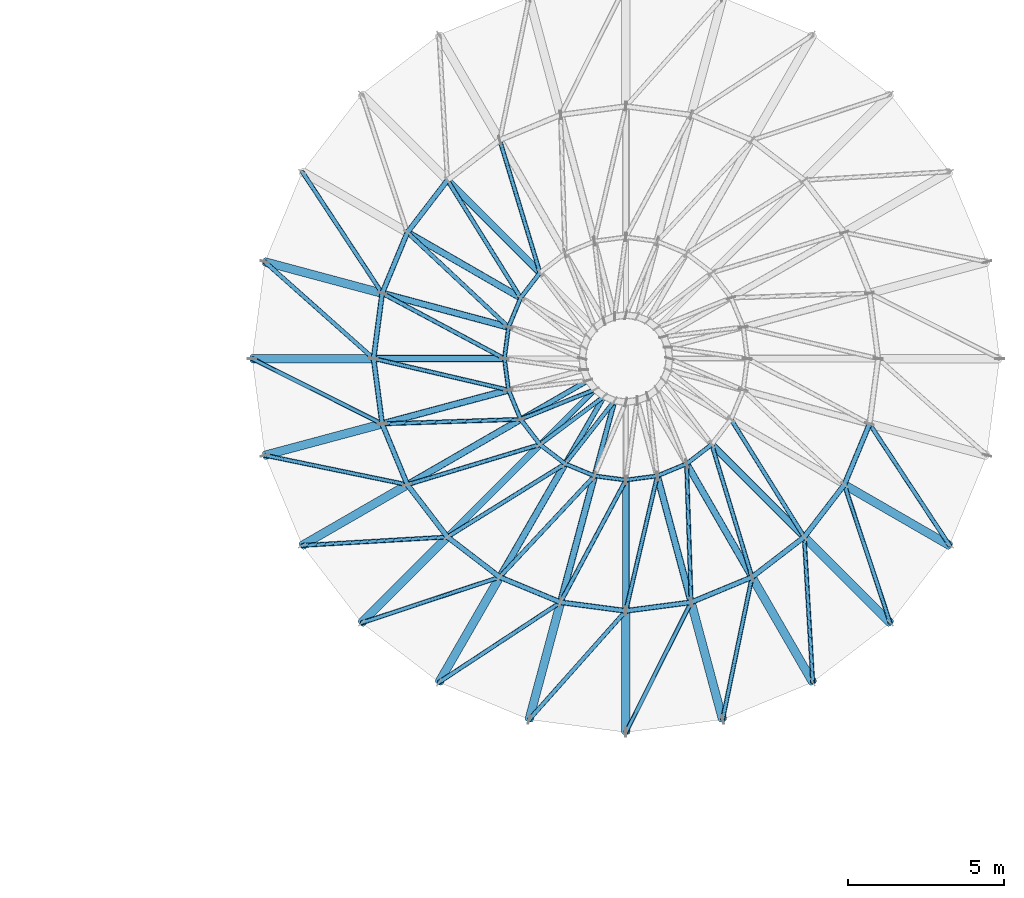
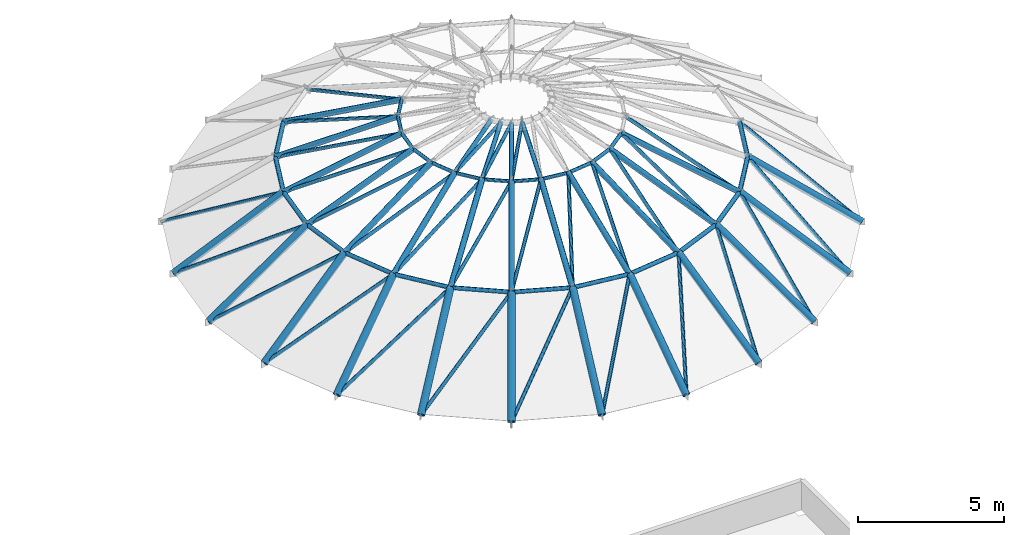
# One storey, part 15 of 32: 56 members, 29 beams.
"""IFC4 building model written with IfcOpenShell, lengths in metres."""

from ifc_helpers import new_model, si_unit, direction, frame, origin, origin_2d, place, context, subcontext, project, spatial, hollow_circle, extrude, material, material_profile, profile_set, type_object, element, save


model = new_model("IFC4")

# Units and contexts
model_context = context("Model", 3, precision=1e-05, world=origin(), true_north=direction((0.0, 1.0)))
body_context = subcontext(model_context, "Body", "Model", "MODEL_VIEW")
ifc_project = project(units=[si_unit("LENGTHUNIT", "METRE"), si_unit("AREAUNIT", "SQUARE_METRE"), si_unit("VOLUMEUNIT", "CUBIC_METRE"), si_unit("PLANEANGLEUNIT", "RADIAN"), si_unit("MASSUNIT", "GRAM", prefix="KILO")], contexts=[model_context])

# Site, building, storey
site_placement = place(None, origin())
site = spatial("IfcSite", under=ifc_project, at=site_placement, CompositionType="ELEMENT")
building_placement = place(site_placement, origin())
building = spatial("IfcBuilding", under=site, at=building_placement, Name="Kandorven Conservatory and Botanical Research Centre", CompositionType="ELEMENT")
storey_placement = place(building_placement, frame((0.0, 0.0, 17.10009765625)))
storey = spatial("IfcBuildingStorey", under=building, at=storey_placement, Name="L04", CompositionType="ELEMENT", Elevation=17.10009765625)

# Beams
ifc_material_1 = material(Name="Steel S355 (IS 2062 E350)", Category="steel")
ifc_material_profile_1 = material_profile(ifc_material_1, hollow_circle(Radius=0.136474609375, WallThickness=0.013916015625, at=origin_2d()))
ifc_profile_set_1 = profile_set([ifc_material_profile_1], Name="Steel S355 (IS 2062 E350)")
beam_type_1 = type_object("IfcBeamType", Name="Beam_DR-03", PredefinedType="BEAM", material=ifc_profile_set_1)
for number, where, z_axis, x_axis, name in (
    (1, (76.0087890625, 50.90576171875, 0.599853515625), (0.794183866007, -0.212777453148, 0.569207995733), (0.258792408894, 0.965932963046, 0.0), "Conservatory Dome Rib DR-03 T3-R12"),
    (2, (75.60009765625, 47.800048828125, 0.599853515625), (0.8221903387, 0.0, 0.569212655295), (0.0, 1.0, 0.0), "Conservatory Dome Rib DR-03 T3-R13"),
    (3, (76.0087890625, 44.694091796875, 0.599853515625), (0.79417516745, 0.212826592184, 0.569201761298), (-0.258850815837, 0.965917312786, 0.0), "Conservatory Dome Rib DR-03 T3-R14"),
    (4, (77.207763671875, 41.800048828125, 0.599853515625), (0.712040516377, 0.411093509058, 0.569210356413), (-0.499997012787, 0.866027128446, 0.0), "Conservatory Dome Rib DR-03 T3-R15"),
    (5, (79.11474609375, 39.314697265625, 0.599853515625), (0.581353568201, 0.581405038194, 0.56920664991), (-0.707138080869, 0.707075480118, 0.0), "Conservatory Dome Rib DR-03 T3-R16"),
    (6, (81.60009765625, 37.40771484375, 0.599853515625), (0.411093509058, 0.712040516377, 0.569210356413), (-0.866027128446, 0.499997012787, 0.0), "Conservatory Dome Rib DR-03 T3-R17"),
    (7, (84.494140625, 36.208984375, 0.599853515625), (0.212826592184, 0.79417516745, 0.569201761298), (-0.965917312786, 0.258850815837, 0.0), "Conservatory Dome Rib DR-03 T3-R18"),
    (8, (87.60009765625, 35.800048828125, 0.599853515625), (0.0, 0.8221903387, 0.569212655295), (-1.0, 0.0, 0.0), "Conservatory Dome Rib DR-03 T3-R19"),
    (9, (90.705810546875, 36.208984375, 0.599853515625), (-0.212826592184, 0.79417516745, 0.569201761298), (-0.965917312786, -0.258850815837, 0.0), "Conservatory Dome Rib DR-03 T3-R20"),
    (10, (93.60009765625, 37.40771484375, 0.599853515625), (-0.411136279652, 0.712025449763, 0.569198312052), (-0.866000020948, -0.500043961785, 0.0), "Conservatory Dome Rib DR-03 T3-R21"),
    (11, (96.085205078125, 39.314697265625, 0.599853515625), (-0.581353568201, 0.581405038194, 0.56920664991), (-0.707138080869, -0.707075480118, 0.0), "Conservatory Dome Rib DR-03 T3-R22"),
    (12, (97.9921875, 41.800048828125, 0.599853515625), (-0.712040516377, 0.411093509058, 0.569210356413), (-0.499997012787, -0.866027128446, 0.0), "Conservatory Dome Rib DR-03 T3-R23"),
):
    element("IfcBeam", number, at=place(storey_placement, frame(where, z_axis=z_axis, x_axis=x_axis)), inside=storey, type_object=beam_type_1, Name=name, PredefinedType="BEAM", context=body_context, shape_type="SweptSolid", body=[
        extrude(hollow_circle(Radius=0.136474609375, WallThickness=0.013916015625, at=origin_2d()), origin(), (0.0, 0.0, 1.0), 4.743408203125),
    ])
ifc_material_2 = material(Name="Steel S355 (IS 2062 E350)", Category="steel")
ifc_material_profile_2 = material_profile(ifc_material_2, hollow_circle(Radius=0.109619140625, WallThickness=0.011962890625, at=origin_2d()))
ifc_profile_set_2 = profile_set([ifc_material_profile_2], Name="Steel S355 (IS 2062 E350)")
beam_type_2 = type_object("IfcBeamType", Name="Beam_DR-04", PredefinedType="BEAM", material=ifc_profile_set_2)
beam_1_placement = place(storey_placement, frame((81.872314453125, 53.527587890625, 3.2998046875), z_axis=(0.655443574187, -0.655443574187, 0.375216526974), x_axis=(0.707106781187, 0.707106781187, 0.0)))
element("IfcBeam", 13, at=beam_1_placement, inside=storey, type_object=beam_type_2, Name="Conservatory Dome Rib DR-04 T4-R10", PredefinedType="BEAM", context=body_context, shape_type="SweptSolid", body=[
    extrude(hollow_circle(Radius=0.109619140625, WallThickness=0.011962890625, at=origin_2d()), origin(), (0.0, 0.0, 1.0), 4.53125),
])
beam_2_placement = place(storey_placement, frame((80.585205078125, 51.85009765625, 3.2998046875), z_axis=(0.802730664096, -0.463491017086, 0.375232671819), x_axis=(0.500027713859, 0.866009402589, 0.0)))
element("IfcBeam", 14, at=beam_2_placement, inside=storey, type_object=beam_type_2, Name="Conservatory Dome Rib DR-04 T4-R11", PredefinedType="BEAM", context=body_context, shape_type="SweptSolid", body=[
    extrude(hollow_circle(Radius=0.109619140625, WallThickness=0.011962890625, at=origin_2d()), origin(), (0.0, 0.0, 1.0), 4.531005859375),
])
beam_3_placement = place(storey_placement, frame((79.77587890625, 49.896484375, 3.2998046875), z_axis=(0.895352306107, -0.239920797876, 0.375209619673), x_axis=(0.258830993363, 0.965922624683, 0.0)))
element("IfcBeam", 15, at=beam_3_placement, inside=storey, type_object=beam_type_2, Name="Conservatory Dome Rib DR-04 T4-R12", PredefinedType="BEAM", context=body_context, shape_type="SweptSolid", body=[
    extrude(hollow_circle(Radius=0.109619140625, WallThickness=0.011962890625, at=origin_2d()), origin(), (0.0, 0.0, 1.0), 4.53125),
])
beam_4_placement = place(storey_placement, frame((79.5, 47.800048828125, 3.2998046875), z_axis=(0.926930303941, 0.0, 0.375233542792), x_axis=(0.0, 1.0, 0.0)))
element("IfcBeam", 16, at=beam_4_placement, inside=storey, type_object=beam_type_2, Name="Conservatory Dome Rib DR-04 T4-R13", PredefinedType="BEAM", context=body_context, shape_type="SweptSolid", body=[
    extrude(hollow_circle(Radius=0.109619140625, WallThickness=0.011962890625, at=origin_2d()), origin(), (0.0, 0.0, 1.0), 4.531005859375),
])
beam_5_placement = place(storey_placement, frame((79.77587890625, 45.70361328125, 3.2998046875), z_axis=(0.895363878861, 0.239870019779, 0.375214469394), x_axis=(-0.258776761059, 0.965937155273, 0.0)))
element("IfcBeam", 17, at=beam_5_placement, inside=storey, type_object=beam_type_2, Name="Conservatory Dome Rib DR-04 T4-R14", PredefinedType="BEAM", context=body_context, shape_type="SweptSolid", body=[
    extrude(hollow_circle(Radius=0.109619140625, WallThickness=0.011962890625, at=origin_2d()), origin(), (0.0, 0.0, 1.0), 4.53125),
])
for number, where, z_axis, x_axis, name in (
    (18, (80.585205078125, 43.75, 3.2998046875), (0.802730664096, 0.463491017086, 0.375232671819), (-0.500027713859, 0.866009402589, 0.0), "Conservatory Dome Rib DR-04 T4-R15"),
    (19, (81.872314453125, 42.072509765625, 3.2998046875), (0.655466721414, 0.655412840056, 0.375229777881), (-0.707077716231, 0.707135844948, 0.0), "Conservatory Dome Rib DR-04 T4-R16"),
    (20, (83.550048828125, 40.78515625, 3.2998046875), (0.463428663109, 0.802769869976, 0.375225812102), (-0.866049104564, 0.499958946799, 0.0), "Conservatory Dome Rib DR-04 T4-R17"),
    (21, (85.503662109375, 39.97607421875, 3.2998046875), (0.239881591947, 0.895353192583, 0.37523257105), (-0.965933262516, 0.258791291131, 0.0), "Conservatory Dome Rib DR-04 T4-R18"),
    (22, (87.60009765625, 39.699951171875, 3.2998046875), (0.0, 0.926930303941, 0.375233542792), (-1.0, 0.0, 0.0), "Conservatory Dome Rib DR-04 T4-R19"),
    (23, (89.6962890625, 39.97607421875, 3.2998046875), (-0.239881591947, 0.895353192583, 0.37523257105), (-0.965933262516, -0.258791291131, 0.0), "Conservatory Dome Rib DR-04 T4-R20"),
    (24, (91.64990234375, 40.78515625, 3.2998046875), (-0.463428663109, 0.802769869976, 0.375225812102), (-0.866049104564, -0.499958946799, 0.0), "Conservatory Dome Rib DR-04 T4-R21"),
    (25, (93.32763671875, 42.072509765625, 3.2998046875), (-0.655466721414, 0.655412840056, 0.375229777881), (-0.707077716231, -0.707135844948, 0.0), "Conservatory Dome Rib DR-04 T4-R22"),
):
    element("IfcBeam", number, at=place(storey_placement, frame(where, z_axis=z_axis, x_axis=x_axis)), inside=storey, type_object=beam_type_2, Name=name, PredefinedType="BEAM", context=body_context, shape_type="SweptSolid", body=[
        extrude(hollow_circle(Radius=0.109619140625, WallThickness=0.011962890625, at=origin_2d()), origin(), (0.0, 0.0, 1.0), 4.531005859375),
    ])
ifc_material_3 = material(Name="Steel S355 (IS 2062 E350)", Category="steel")
ifc_material_profile_3 = material_profile(ifc_material_3, hollow_circle(Radius=0.084228515625, WallThickness=0.010009765625, at=origin_2d()))
ifc_profile_set_3 = profile_set([ifc_material_profile_3], Name="Steel S355 (IS 2062 E350)")
beam_type_3 = type_object("IfcBeamType", Name="Beam_DR-05", PredefinedType="BEAM", material=ifc_profile_set_3)
beam_6_placement = place(storey_placement, frame((84.222412109375, 45.85009765625, 5.0), z_axis=(0.833981299591, 0.481450474, 0.269593458781), x_axis=(-0.499961950354, 0.866047370643, 0.0)))
element("IfcBeam", 26, at=beam_6_placement, inside=storey, type_object=beam_type_3, Name="Conservatory Dome Rib DR-05 T5-R15", PredefinedType="BEAM", context=body_context, shape_type="SweptSolid", body=[
    extrude(hollow_circle(Radius=0.084228515625, WallThickness=0.010009765625, at=origin_2d()), origin(), (0.0, 0.0, 1.0), 2.596435546875),
])
for number, where, z_axis, x_axis, name in (
    (27, (84.84228515625, 45.042236328125, 5.0), (0.680923390004, 0.680923390004, 0.269604662221), (-0.707106781187, 0.707106781187, 0.0), "Conservatory Dome Rib DR-05 T5-R16"),
    (28, (85.64990234375, 44.422607421875, 5.0), (0.481488232627, 0.833952665417, 0.269614602137), (-0.866022959057, 0.500004234368, 0.0), "Conservatory Dome Rib DR-05 T5-R17"),
    (29, (86.590576171875, 44.032958984375, 5.0), (0.249297564493, 0.930140403774, 0.269610002792), (-0.965908379501, 0.258884148626, 0.0), "Conservatory Dome Rib DR-05 T5-R18"),
):
    element("IfcBeam", number, at=place(storey_placement, frame(where, z_axis=z_axis, x_axis=x_axis)), inside=storey, type_object=beam_type_3, Name=name, PredefinedType="BEAM", context=body_context, shape_type="SweptSolid", body=[
        extrude(hollow_circle(Radius=0.084228515625, WallThickness=0.010009765625, at=origin_2d()), origin(), (0.0, 0.0, 1.0), 2.59619140625),
    ])

# Members
ifc_material_4 = material(Name="Steel S355 (IS 2062 E350)", Category="steel")
ifc_material_profile_4 = material_profile(ifc_material_4, hollow_circle(Radius=0.06982421875, WallThickness=0.008056640625, at=origin_2d()))
ifc_profile_set_4 = profile_set([ifc_material_profile_4], Name="Steel S355 (IS 2062 E350)")
member_type_1 = type_object("IfcMemberType", Name="Mem_DD-01", PredefinedType="BRACE", material=ifc_profile_set_4)
member_1_placement = place(storey_placement, frame((77.207763671875, 53.800048828125, 0.599853515625), z_axis=(0.475880801818, -0.723344247578, 0.500310465568), x_axis=(0.835418976256, 0.549613622568, 0.0)))
element("IfcMember", 30, at=member_1_placement, inside=storey, type_object=member_type_1, Name="Conservatory Dome Brace DD-01 T3-S11", PredefinedType="BRACE", context=body_context, shape_type="SweptSolid", body=[
    extrude(hollow_circle(Radius=0.06982421875, WallThickness=0.008056640625, at=origin_2d()), origin(), (0.0, 0.0, 1.0), 5.396484375),
])
member_2_placement = place(storey_placement, frame((76.0087890625, 50.90576171875, 0.599853515625), z_axis=(0.646922858318, -0.575489907738, 0.500302090219), x_axis=(0.664652416887, 0.747152705092, 0.0)))
element("IfcMember", 31, at=member_2_placement, inside=storey, type_object=member_type_1, Name="Conservatory Dome Brace DD-01 T3-S12", PredefinedType="BRACE", context=body_context, shape_type="SweptSolid", body=[
    extrude(hollow_circle(Radius=0.06982421875, WallThickness=0.008056640625, at=origin_2d()), origin(), (0.0, 0.0, 1.0), 5.396728515625),
])
member_3_placement = place(storey_placement, frame((75.60009765625, 47.800048828125, 0.599853515625), z_axis=(0.773798142056, -0.388482498003, 0.500317683173), x_axis=(0.4486760144, 0.893694485885, 0.0)))
element("IfcMember", 32, at=member_3_placement, inside=storey, type_object=member_type_1, Name="Conservatory Dome Brace DD-01 T3-S13", PredefinedType="BRACE", context=body_context, shape_type="SweptSolid", body=[
    extrude(hollow_circle(Radius=0.06982421875, WallThickness=0.008056640625, at=origin_2d()), origin(), (0.0, 0.0, 1.0), 5.396484375),
])
member_4_placement = place(storey_placement, frame((76.0087890625, 44.694091796875, 0.599853515625), z_axis=(0.84799891067, -0.174937945455, 0.500294476026), x_axis=(0.202040619456, 0.979377142928, 0.0)))
element("IfcMember", 33, at=member_4_placement, inside=storey, type_object=member_type_1, Name="Conservatory Dome Brace DD-01 T3-S14", PredefinedType="BRACE", context=body_context, shape_type="SweptSolid", body=[
    extrude(hollow_circle(Radius=0.06982421875, WallThickness=0.008056640625, at=origin_2d()), origin(), (0.0, 0.0, 1.0), 5.396728515625),
])
member_5_placement = place(storey_placement, frame((77.207763671875, 41.800048828125, 0.599853515625), z_axis=(0.864369008874, 0.050488632571, 0.500317013982), x_axis=(-0.058311580146, 0.998298432144, 0.0)))
element("IfcMember", 34, at=member_5_placement, inside=storey, type_object=member_type_1, Name="Conservatory Dome Brace DD-01 T3-S15", PredefinedType="BRACE", context=body_context, shape_type="SweptSolid", body=[
    extrude(hollow_circle(Radius=0.06982421875, WallThickness=0.008056640625, at=origin_2d()), origin(), (0.0, 0.0, 1.0), 5.396484375),
])
for number, where, z_axis, x_axis, name in (
    (35, (79.11474609375, 39.314697265625, 0.599853515625), (0.821861298946, 0.272475951096, 0.500300770906), (-0.314691252717, 0.949194087352, 0.0), "Conservatory Dome Brace DD-01 T3-S16"),
    (36, (81.60009765625, 37.40771484375, 0.599853515625), (0.723328674532, 0.475915795614, 0.500299694268), (-0.549650087297, 0.835394985342, 0.0), "Conservatory Dome Brace DD-01 T3-S17"),
    (37, (84.494140625, 36.208984375, 0.599853515625), (0.575537005819, 0.64687970808, 0.50030370597), (-0.747103675018, 0.664707528749, 0.0), "Conservatory Dome Brace DD-01 T3-S18"),
):
    element("IfcMember", number, at=place(storey_placement, frame(where, z_axis=z_axis, x_axis=x_axis)), inside=storey, type_object=member_type_1, Name=name, PredefinedType="BRACE", context=body_context, shape_type="SweptSolid", body=[
        extrude(hollow_circle(Radius=0.06982421875, WallThickness=0.008056640625, at=origin_2d()), origin(), (0.0, 0.0, 1.0), 5.396728515625),
    ])
for number, where, z_axis, x_axis, name in (
    (38, (87.60009765625, 35.800048828125, 0.599853515625), (0.388430485385, 0.773829891976, 0.500308960851), (-0.893725952948, 0.448613331307, 0.0), "Conservatory Dome Brace DD-01 T3-S19"),
    (39, (90.705810546875, 36.208984375, 0.599853515625), (0.174944656692, 0.847986202493, 0.500313669087), (-0.979375010005, 0.20205095837, 0.0), "Conservatory Dome Brace DD-01 T3-S20"),
):
    element("IfcMember", number, at=place(storey_placement, frame(where, z_axis=z_axis, x_axis=x_axis)), inside=storey, type_object=member_type_1, Name=name, PredefinedType="BRACE", context=body_context, shape_type="SweptSolid", body=[
        extrude(hollow_circle(Radius=0.06982421875, WallThickness=0.008056640625, at=origin_2d()), origin(), (0.0, 0.0, 1.0), 5.396484375),
    ])
for number, where, z_axis, x_axis, name in (
    (40, (93.60009765625, 37.40771484375, 0.599853515625), (-0.050486658294, 0.86438044805, 0.500297449887), (-0.998298609794, -0.058308538679, 0.0), "Conservatory Dome Brace DD-01 T3-S21"),
    (41, (96.085205078125, 39.314697265625, 0.599853515625), (-0.272475951096, 0.821861298946, 0.500300770906), (-0.949194087352, -0.314691252717, 0.0), "Conservatory Dome Brace DD-01 T3-S22"),
):
    element("IfcMember", number, at=place(storey_placement, frame(where, z_axis=z_axis, x_axis=x_axis)), inside=storey, type_object=member_type_1, Name=name, PredefinedType="BRACE", context=body_context, shape_type="SweptSolid", body=[
        extrude(hollow_circle(Radius=0.06982421875, WallThickness=0.008056640625, at=origin_2d()), origin(), (0.0, 0.0, 1.0), 5.396728515625),
    ])
member_6_placement = place(storey_placement, frame((97.9921875, 41.800048828125, 0.599853515625), z_axis=(-0.475880801818, 0.723344247578, 0.500310465568), x_axis=(-0.835418976256, -0.549613622568, 0.0)))
element("IfcMember", 42, at=member_6_placement, inside=storey, type_object=member_type_1, Name="Conservatory Dome Brace DD-01 T3-S23", PredefinedType="BRACE", context=body_context, shape_type="SweptSolid", body=[
    extrude(hollow_circle(Radius=0.06982421875, WallThickness=0.008056640625, at=origin_2d()), origin(), (0.0, 0.0, 1.0), 5.396484375),
])
for number, where, z_axis, x_axis, name in (
    (43, (83.550048828125, 54.814697265625, 3.2998046875), (0.271324566962, -0.893838366543, 0.356981727626), (0.95688629646, 0.290462761207, 0.0), "Conservatory Dome Brace DD-01 T4-S09"),
    (44, (81.872314453125, 53.527587890625, 3.2998046875), (0.493432860348, -0.793152570971, 0.356977606427), (0.849097079448, 0.528236831045, 0.0), "Conservatory Dome Brace DD-01 T4-S10"),
):
    element("IfcMember", number, at=place(storey_placement, frame(where, z_axis=z_axis, x_axis=x_axis)), inside=storey, type_object=member_type_1, Name=name, PredefinedType="BRACE", context=body_context, shape_type="SweptSolid", body=[
        extrude(hollow_circle(Radius=0.06982421875, WallThickness=0.008056640625, at=origin_2d()), origin(), (0.0, 0.0, 1.0), 4.7626953125),
    ])
member_7_placement = place(storey_placement, frame((80.585205078125, 51.85009765625, 3.2998046875), z_axis=(0.681896636396, -0.638429121725, 0.35696671246), x_axis=(0.683457264815, 0.729990525398, 0.0)))
element("IfcMember", 45, at=member_7_placement, inside=storey, type_object=member_type_1, Name="Conservatory Dome Brace DD-01 T4-S11", PredefinedType="BRACE", context=body_context, shape_type="SweptSolid", body=[
    extrude(hollow_circle(Radius=0.06982421875, WallThickness=0.008056640625, at=origin_2d()), origin(), (0.0, 0.0, 1.0), 4.762939453125),
])
member_8_placement = place(storey_placement, frame((79.77587890625, 49.896484375, 3.2998046875), z_axis=(0.823904179571, -0.440170795121, 0.356975593015), x_axis=(0.471217572022, 0.882017006535, 0.0)))
element("IfcMember", 46, at=member_8_placement, inside=storey, type_object=member_type_1, Name="Conservatory Dome Brace DD-01 T4-S12", PredefinedType="BRACE", context=body_context, shape_type="SweptSolid", body=[
    extrude(hollow_circle(Radius=0.06982421875, WallThickness=0.008056640625, at=origin_2d()), origin(), (0.0, 0.0, 1.0), 4.7626953125),
])
member_9_placement = place(storey_placement, frame((79.5, 47.800048828125, 3.2998046875), z_axis=(0.909750768121, -0.21195737132, 0.356970044467), x_axis=(0.226906946749, 0.97391644278, 0.0)))
element("IfcMember", 47, at=member_9_placement, inside=storey, type_object=member_type_1, Name="Conservatory Dome Brace DD-01 T4-S13", PredefinedType="BRACE", context=body_context, shape_type="SweptSolid", body=[
    extrude(hollow_circle(Radius=0.06982421875, WallThickness=0.008056640625, at=origin_2d()), origin(), (0.0, 0.0, 1.0), 4.762939453125),
])
for number, where, z_axis, x_axis, name in (
    (48, (79.77587890625, 45.70361328125, 3.2998046875), (0.933606427592, 0.030756265116, 0.356977717112), (-0.032925640063, 0.999457804125, 0.0), "Conservatory Dome Brace DD-01 T4-S14"),
    (49, (80.585205078125, 43.75, 3.2998046875), (0.893838366543, 0.271324566962, 0.356981727626), (-0.290462761207, 0.95688629646, 0.0), "Conservatory Dome Brace DD-01 T4-S15"),
    (50, (81.872314453125, 42.072509765625, 3.2998046875), (0.793152570971, 0.493432860348, 0.356977606427), (-0.528236831045, 0.849097079448, 0.0), "Conservatory Dome Brace DD-01 T4-S16"),
    (51, (83.550048828125, 40.78515625, 3.2998046875), (0.638398754062, 0.681918951765, 0.356978394354), (-0.730017903493, 0.683428021506, 0.0), "Conservatory Dome Brace DD-01 T4-S17"),
    (52, (85.503662109375, 39.97607421875, 3.2998046875), (0.440189385647, 0.8238877147, 0.356990669809), (-0.882004820722, 0.471240380509, 0.0), "Conservatory Dome Brace DD-01 T4-S18"),
    (53, (87.60009765625, 39.699951171875, 3.2998046875), (0.211908414055, 0.909760651342, 0.356973922467), (-0.973928568216, 0.226854896383, 0.0), "Conservatory Dome Brace DD-01 T4-S19"),
    (54, (89.6962890625, 39.97607421875, 3.2998046875), (-0.030705053043, 0.933607898274, 0.356978279448), (-0.999459608475, -0.032870823339, 0.0), "Conservatory Dome Brace DD-01 T4-S20"),
    (55, (91.64990234375, 40.78515625, 3.2998046875), (-0.271324566962, 0.893838366543, 0.356981727626), (-0.95688629646, -0.290462761207, 0.0), "Conservatory Dome Brace DD-01 T4-S21"),
    (56, (93.32763671875, 42.072509765625, 3.2998046875), (-0.493432860348, 0.793152570971, 0.356977606427), (-0.849097079448, -0.528236831045, 0.0), "Conservatory Dome Brace DD-01 T4-S22"),
):
    element("IfcMember", number, at=place(storey_placement, frame(where, z_axis=z_axis, x_axis=x_axis)), inside=storey, type_object=member_type_1, Name=name, PredefinedType="BRACE", context=body_context, shape_type="SweptSolid", body=[
        extrude(hollow_circle(Radius=0.06982421875, WallThickness=0.008056640625, at=origin_2d()), origin(), (0.0, 0.0, 1.0), 4.7626953125),
    ])
member_10_placement = place(storey_placement, frame((84.222412109375, 45.85009765625, 5.0), z_axis=(0.895295448159, 0.359949049301, 0.262455219823), x_axis=(-0.373025776268, 0.927820979629, 0.0)))
element("IfcMember", 57, at=member_10_placement, inside=storey, type_object=member_type_1, Name="Conservatory Dome Brace DD-01 T5-S15", PredefinedType="BRACE", context=body_context, shape_type="SweptSolid", body=[
    extrude(hollow_circle(Radius=0.06982421875, WallThickness=0.008056640625, at=origin_2d()), origin(), (0.0, 0.0, 1.0), 2.6669921875),
])
member_11_placement = place(storey_placement, frame((84.84228515625, 45.042236328125, 5.0), z_axis=(0.771557536389, 0.579492074673, 0.262465051831), x_axis=(-0.600546328715, 0.799589961835, 0.0)))
element("IfcMember", 58, at=member_11_placement, inside=storey, type_object=member_type_1, Name="Conservatory Dome Brace DD-01 T5-S16", PredefinedType="BRACE", context=body_context, shape_type="SweptSolid", body=[
    extrude(hollow_circle(Radius=0.06982421875, WallThickness=0.008056640625, at=origin_2d()), origin(), (0.0, 0.0, 1.0), 2.666748046875),
])
member_12_placement = place(storey_placement, frame((85.64990234375, 44.422607421875, 5.0), z_axis=(0.595398893665, 0.759353293812, 0.262455201128), x_axis=(-0.786940126508, 0.617029365016, 0.0)))
element("IfcMember", 59, at=member_12_placement, inside=storey, type_object=member_type_1, Name="Conservatory Dome Brace DD-01 T5-S17", PredefinedType="BRACE", context=body_context, shape_type="SweptSolid", body=[
    extrude(hollow_circle(Radius=0.06982421875, WallThickness=0.008056640625, at=origin_2d()), origin(), (0.0, 0.0, 1.0), 2.6669921875),
])
ifc_material_5 = material(Name="Steel S355 (IS 2062 E350)", Category="steel")
ifc_material_profile_5 = material_profile(ifc_material_5, hollow_circle(Radius=0.084228515625, WallThickness=0.010009765625, at=origin_2d()))
ifc_profile_set_5 = profile_set([ifc_material_profile_5], Name="Steel S355 (IS 2062 E350)")
member_type_2 = type_object("IfcMemberType", Name="Mem_DH-03", PredefinedType="CHORD", material=ifc_profile_set_5)
for number, where, z_axis, x_axis, name in (
    (60, (81.872314453125, 53.527587890625, 3.2998046875), (-0.608739354659, -0.793370278047, 0.0), (0.793370278047, -0.608739354659, 0.0), "Conservatory Dome Hoop DH-03 T3-S10"),
    (61, (80.585205078125, 51.85009765625, 3.2998046875), (-0.382729065936, -0.923860629147, 0.0), (0.923860629147, -0.382729065936, 0.0), "Conservatory Dome Hoop DH-03 T3-S11"),
    (62, (79.77587890625, 49.896484375, 3.2998046875), (-0.130469446076, -0.991452330493, 0.0), (0.991452330493, -0.130469446076, 0.0), "Conservatory Dome Hoop DH-03 T3-S12"),
    (63, (79.5, 47.800048828125, 3.2998046875), (0.130469446076, -0.991452330493, 0.0), (0.991452330493, 0.130469446076, 0.0), "Conservatory Dome Hoop DH-03 T3-S13"),
    (64, (79.77587890625, 45.70361328125, 3.2998046875), (0.382729065936, -0.923860629147, 0.0), (0.923860629147, 0.382729065936, 0.0), "Conservatory Dome Hoop DH-03 T3-S14"),
    (65, (80.585205078125, 43.75, 3.2998046875), (0.608739354659, -0.793370278047, 0.0), (0.793370278047, 0.608739354659, 0.0), "Conservatory Dome Hoop DH-03 T3-S15"),
):
    element("IfcMember", number, at=place(storey_placement, frame(where, z_axis=z_axis, x_axis=x_axis)), inside=storey, type_object=member_type_2, Name=name, PredefinedType="CHORD", context=body_context, shape_type="SweptSolid", body=[
        extrude(hollow_circle(Radius=0.084228515625, WallThickness=0.010009765625, at=origin_2d()), origin(), (0.0, 0.0, 1.0), 2.114501953125),
    ])
member_13_placement = place(storey_placement, frame((81.872314453125, 42.072509765625, 3.2998046875), z_axis=(0.793357302445, -0.608756265395, 0.0), x_axis=(0.608756265395, 0.793357302445, 0.0)))
element("IfcMember", 66, at=member_13_placement, inside=storey, type_object=member_type_2, Name="Conservatory Dome Hoop DH-03 T3-S16", PredefinedType="CHORD", context=body_context, shape_type="SweptSolid", body=[
    extrude(hollow_circle(Radius=0.084228515625, WallThickness=0.010009765625, at=origin_2d()), origin(), (0.0, 0.0, 1.0), 2.11474609375),
])
for number, where, z_axis, x_axis, name in (
    (67, (83.550048828125, 40.78515625, 3.2998046875), (0.923901448779, -0.382630517527, 0.0), (0.382630517527, 0.923901448779, 0.0), "Conservatory Dome Hoop DH-03 T3-S17"),
    (68, (85.503662109375, 39.97607421875, 3.2998046875), (0.991437389023, -0.130582937811, 0.0), (0.130582937811, 0.991437389023, 0.0), "Conservatory Dome Hoop DH-03 T3-S18"),
):
    element("IfcMember", number, at=place(storey_placement, frame(where, z_axis=z_axis, x_axis=x_axis)), inside=storey, type_object=member_type_2, Name=name, PredefinedType="CHORD", context=body_context, shape_type="SweptSolid", body=[
        extrude(hollow_circle(Radius=0.084228515625, WallThickness=0.010009765625, at=origin_2d()), origin(), (0.0, 0.0, 1.0), 2.114501953125),
    ])
member_14_placement = place(storey_placement, frame((87.60009765625, 39.699951171875, 3.2998046875), z_axis=(0.991435419907, 0.130597887248, 0.0), x_axis=(-0.130597887248, 0.991435419907, 0.0)))
element("IfcMember", 69, at=member_14_placement, inside=storey, type_object=member_type_2, Name="Conservatory Dome Hoop DH-03 T3-S19", PredefinedType="CHORD", context=body_context, shape_type="SweptSolid", body=[
    extrude(hollow_circle(Radius=0.084228515625, WallThickness=0.010009765625, at=origin_2d()), origin(), (0.0, 0.0, 1.0), 2.1142578125),
])
member_15_placement = place(storey_placement, frame((89.6962890625, 39.97607421875, 3.2998046875), z_axis=(0.923901448779, 0.382630517527, 0.0), x_axis=(-0.382630517527, 0.923901448779, 0.0)))
element("IfcMember", 70, at=member_15_placement, inside=storey, type_object=member_type_2, Name="Conservatory Dome Hoop DH-03 T3-S20", PredefinedType="CHORD", context=body_context, shape_type="SweptSolid", body=[
    extrude(hollow_circle(Radius=0.084228515625, WallThickness=0.010009765625, at=origin_2d()), origin(), (0.0, 0.0, 1.0), 2.114501953125),
])
member_16_placement = place(storey_placement, frame((91.64990234375, 40.78515625, 3.2998046875), z_axis=(0.793357302445, 0.608756265395, 0.0), x_axis=(-0.608756265395, 0.793357302445, 0.0)))
element("IfcMember", 71, at=member_16_placement, inside=storey, type_object=member_type_2, Name="Conservatory Dome Hoop DH-03 T3-S21", PredefinedType="CHORD", context=body_context, shape_type="SweptSolid", body=[
    extrude(hollow_circle(Radius=0.084228515625, WallThickness=0.010009765625, at=origin_2d()), origin(), (0.0, 0.0, 1.0), 2.11474609375),
])
for number, where, z_axis, x_axis, name in (
    (72, (93.32763671875, 42.072509765625, 3.2998046875), (0.608739354659, 0.793370278047, 0.0), (-0.793370278047, 0.608739354659, 0.0), "Conservatory Dome Hoop DH-03 T3-S22"),
    (73, (94.61474609375, 43.75, 3.2998046875), (0.382729065936, 0.923860629147, 0.0), (-0.923860629147, 0.382729065936, 0.0), "Conservatory Dome Hoop DH-03 T3-S23"),
):
    element("IfcMember", number, at=place(storey_placement, frame(where, z_axis=z_axis, x_axis=x_axis)), inside=storey, type_object=member_type_2, Name=name, PredefinedType="CHORD", context=body_context, shape_type="SweptSolid", body=[
        extrude(hollow_circle(Radius=0.084228515625, WallThickness=0.010009765625, at=origin_2d()), origin(), (0.0, 0.0, 1.0), 2.114501953125),
    ])
ifc_material_6 = material(Name="Steel S355 (IS 2062 E350)", Category="steel")
ifc_material_profile_6 = material_profile(ifc_material_6, hollow_circle(Radius=0.06982421875, WallThickness=0.008056640625, at=origin_2d()))
ifc_profile_set_6 = profile_set([ifc_material_profile_6], Name="Steel S355 (IS 2062 E350)")
member_type_3 = type_object("IfcMemberType", Name="Mem_DH-04", PredefinedType="CHORD", material=ifc_profile_set_6)
for number, where, z_axis, x_axis, name in (
    (74, (84.84228515625, 50.5576171875, 5.0), (-0.608864410711, -0.793274309032, 0.0), (0.793274309032, -0.608864410711, 0.0), "Conservatory Dome Hoop DH-04 T4-S10"),
    (75, (84.222412109375, 49.75, 5.0), (-0.382485932356, -0.923961314964, 0.0), (0.923961314964, -0.382485932356, 0.0), "Conservatory Dome Hoop DH-04 T4-S11"),
    (76, (83.8330078125, 48.809326171875, 5.0), (-0.13070265587, -0.991421613517, 0.0), (0.991421613517, -0.13070265587, 0.0), "Conservatory Dome Hoop DH-04 T4-S12"),
):
    element("IfcMember", number, at=place(storey_placement, frame(where, z_axis=z_axis, x_axis=x_axis)), inside=storey, type_object=member_type_3, Name=name, PredefinedType="CHORD", context=body_context, shape_type="SweptSolid", body=[
        extrude(hollow_circle(Radius=0.06982421875, WallThickness=0.008056640625, at=origin_2d()), origin(), (0.0, 0.0, 1.0), 1.01806640625),
    ])
member_17_placement = place(storey_placement, frame((83.699951171875, 47.800048828125, 5.0), z_axis=(0.130671586793, -0.991425708969, 0.0), x_axis=(0.991425708969, 0.130671586793, 0.0)))
element("IfcMember", 77, at=member_17_placement, inside=storey, type_object=member_type_3, Name="Conservatory Dome Hoop DH-04 T4-S13", PredefinedType="CHORD", context=body_context, shape_type="SweptSolid", body=[
    extrude(hollow_circle(Radius=0.06982421875, WallThickness=0.008056640625, at=origin_2d()), origin(), (0.0, 0.0, 1.0), 1.018310546875),
])
member_18_placement = place(storey_placement, frame((83.8330078125, 46.79052734375, 5.0), z_axis=(0.382570696469, -0.92392622119, 0.0), x_axis=(0.92392622119, 0.382570696469, 0.0)))
element("IfcMember", 78, at=member_18_placement, inside=storey, type_object=member_type_3, Name="Conservatory Dome Hoop DH-04 T4-S14", PredefinedType="CHORD", context=body_context, shape_type="SweptSolid", body=[
    extrude(hollow_circle(Radius=0.06982421875, WallThickness=0.008056640625, at=origin_2d()), origin(), (0.0, 0.0, 1.0), 1.017822265625),
])
member_19_placement = place(storey_placement, frame((84.222412109375, 45.85009765625, 5.0), z_axis=(0.608748601372, -0.793363183119, 0.0), x_axis=(0.793363183119, 0.608748601372, 0.0)))
element("IfcMember", 79, at=member_19_placement, inside=storey, type_object=member_type_3, Name="Conservatory Dome Hoop DH-04 T4-S15", PredefinedType="CHORD", context=body_context, shape_type="SweptSolid", body=[
    extrude(hollow_circle(Radius=0.06982421875, WallThickness=0.008056640625, at=origin_2d()), origin(), (0.0, 0.0, 1.0), 1.018310546875),
])
member_20_placement = place(storey_placement, frame((84.84228515625, 45.042236328125, 5.0), z_axis=(0.793390136468, -0.608713472296, 0.0), x_axis=(0.608713472296, 0.793390136468, 0.0)))
element("IfcMember", 80, at=member_20_placement, inside=storey, type_object=member_type_3, Name="Conservatory Dome Hoop DH-04 T4-S16", PredefinedType="CHORD", context=body_context, shape_type="SweptSolid", body=[
    extrude(hollow_circle(Radius=0.06982421875, WallThickness=0.008056640625, at=origin_2d()), origin(), (0.0, 0.0, 1.0), 1.017822265625),
])
member_21_placement = place(storey_placement, frame((85.64990234375, 44.422607421875, 5.0), z_axis=(0.923876553121, -0.38269062517, 0.0), x_axis=(0.38269062517, 0.923876553121, 0.0)))
element("IfcMember", 81, at=member_21_placement, inside=storey, type_object=member_type_3, Name="Conservatory Dome Hoop DH-04 T4-S17", PredefinedType="CHORD", context=body_context, shape_type="SweptSolid", body=[
    extrude(hollow_circle(Radius=0.06982421875, WallThickness=0.008056640625, at=origin_2d()), origin(), (0.0, 0.0, 1.0), 1.01806640625),
])
member_22_placement = place(storey_placement, frame((86.590576171875, 44.032958984375, 5.0), z_axis=(0.991425708969, -0.130671586793, 0.0), x_axis=(0.130671586793, 0.991425708969, 0.0)))
element("IfcMember", 82, at=member_22_placement, inside=storey, type_object=member_type_3, Name="Conservatory Dome Hoop DH-04 T4-S18", PredefinedType="CHORD", context=body_context, shape_type="SweptSolid", body=[
    extrude(hollow_circle(Radius=0.06982421875, WallThickness=0.008056640625, at=origin_2d()), origin(), (0.0, 0.0, 1.0), 1.018310546875),
])
for number, where, z_axis, x_axis, name in (
    (83, (87.60009765625, 43.89990234375, 5.0), (0.991421613517, 0.13070265587, 0.0), (-0.13070265587, 0.991421613517, 0.0), "Conservatory Dome Hoop DH-04 T4-S19"),
    (84, (88.609375, 44.032958984375, 5.0), (0.923876553121, 0.38269062517, 0.0), (-0.38269062517, 0.923876553121, 0.0), "Conservatory Dome Hoop DH-04 T4-S20"),
):
    element("IfcMember", number, at=place(storey_placement, frame(where, z_axis=z_axis, x_axis=x_axis)), inside=storey, type_object=member_type_3, Name=name, PredefinedType="CHORD", context=body_context, shape_type="SweptSolid", body=[
        extrude(hollow_circle(Radius=0.06982421875, WallThickness=0.008056640625, at=origin_2d()), origin(), (0.0, 0.0, 1.0), 1.01806640625),
    ])
member_23_placement = place(storey_placement, frame((89.550048828125, 44.422607421875, 5.0), z_axis=(0.793390136468, 0.608713472296, 0.0), x_axis=(-0.608713472296, 0.793390136468, 0.0)))
element("IfcMember", 85, at=member_23_placement, inside=storey, type_object=member_type_3, Name="Conservatory Dome Hoop DH-04 T4-S21", PredefinedType="CHORD", context=body_context, shape_type="SweptSolid", body=[
    extrude(hollow_circle(Radius=0.06982421875, WallThickness=0.008056640625, at=origin_2d()), origin(), (0.0, 0.0, 1.0), 1.017822265625),
])

save(model, "model.ifc")
